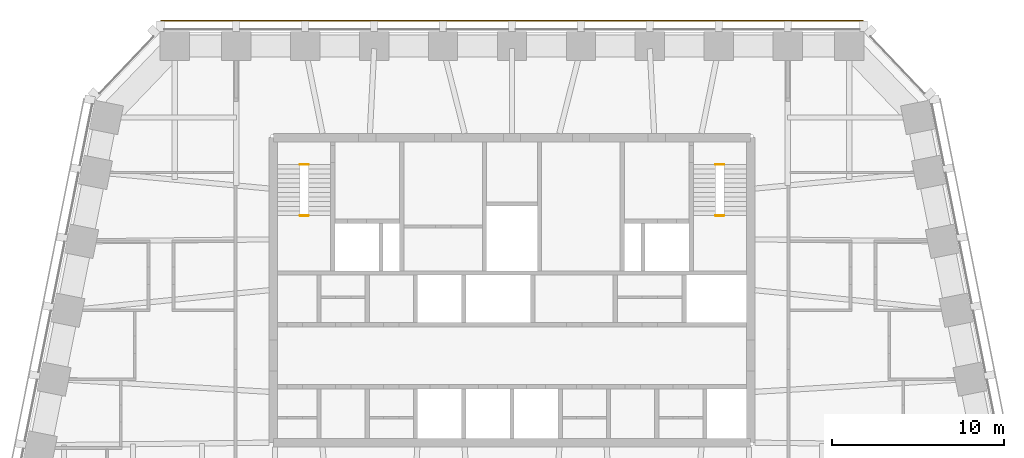
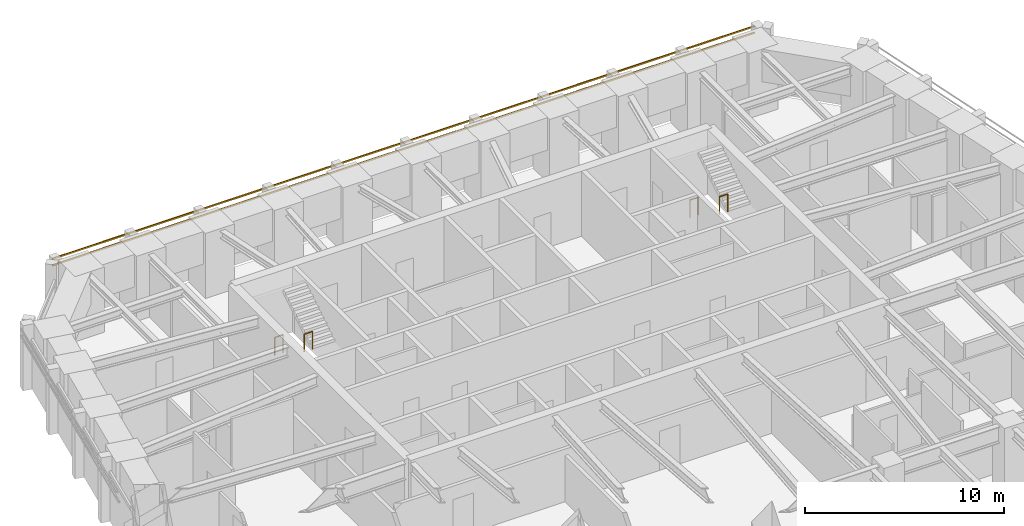
# One storey, part 11 of 11: 4 railings, 2 shading devices.
"""IFC4 building model written with IfcOpenShell, lengths in metres."""

import ifcopenshell
import ifcopenshell.guid

model = None  # the IFC model being written
_history = None  # IfcOwnerHistory: only IFC2X3 demands one
_inside = {}  # id of a spatial element -> (the spatial element, [elements in it])
_under = {}  # id of a project, library or spatial element -> (it, [spatial elements below it])
_declared = {}  # id of a project -> (the project, [libraries it declares])
_typed = {}  # id of a type object -> (the type object, [elements of that type])
_made_of = {}  # id of a material, layer set ... -> (it, [elements and type objects made of it])


def new_model(schema):
    """Start an empty IFC model of exactly this schema.

    Asked for "IFC4X3", IfcOpenShell would pick the latest addendum, in which some entities
    have other attributes; the version numbers below select the first issue.
    IFC2X3 requires an IfcOwnerHistory on every rooted entity: one is made here for all.
    """
    global model, _history
    if schema == "IFC4X3":
        model = ifcopenshell.file(schema_version=(4, 3, 0, 0))
    else:
        model = ifcopenshell.file(schema=schema)
    _inside.clear()
    _under.clear()
    _declared.clear()
    _typed.clear()
    _made_of.clear()
    _history = None
    if model.schema == "IFC2X3":
        org = make("IfcOrganization", Name="unknown")
        user = make(
            "IfcPersonAndOrganization",
            ThePerson=make("IfcPerson", FamilyName="unknown"),
            TheOrganization=org,
        )
        app = make(
            "IfcApplication",
            ApplicationDeveloper=org,
            Version="unknown",
            ApplicationFullName="unknown",
            ApplicationIdentifier="unknown",
        )
        _history = make(
            "IfcOwnerHistory",
            OwningUser=user,
            OwningApplication=app,
            ChangeAction="ADDED",
            CreationDate=0,
        )
    return model


def make(cls, **values):
    """One entity of the class cls with the attributes given. An attribute that is None is left unset."""
    return model.create_entity(
        cls, **{name: value for name, value in values.items() if value is not None}
    )


def rooted(cls, **values):
    """An entity with a GlobalId (a new one), such as an element, a storey or a relation."""
    return make(cls, GlobalId=ifcopenshell.guid.new(), OwnerHistory=_history, **values)


def si_unit(unit_type, name, prefix=None):
    """IfcSIUnit, for example si_unit("LENGTHUNIT", "METRE", prefix="MILLI")."""
    return make("IfcSIUnit", UnitType=unit_type, Prefix=prefix, Name=name)


def assignment(units):
    """IfcUnitAssignment: the units of a project."""
    return None if units is None else make("IfcUnitAssignment", Units=units)


def point(xyz):
    """IfcCartesianPoint."""
    return None if xyz is None else make("IfcCartesianPoint", Coordinates=xyz)


def direction(xyz):
    """IfcDirection."""
    return None if xyz is None else make("IfcDirection", DirectionRatios=xyz)


def frame(location, z_axis=None, x_axis=None):
    """IfcAxis2Placement3D, a coordinate frame: its origin and axes. An axis left out is left unset."""
    return make(
        "IfcAxis2Placement3D",
        Location=point(location),
        Axis=direction(z_axis),
        RefDirection=direction(x_axis),
    )


def frame_2d(location, x_axis=None):
    """IfcAxis2Placement2D, a coordinate frame in the plane: its origin and x axis."""
    return make(
        "IfcAxis2Placement2D", Location=point(location), RefDirection=direction(x_axis)
    )


def origin():
    """The frame at (0, 0, 0) with its axes left unset."""
    return frame((0.0, 0.0, 0.0))


def origin_2d():
    """The frame at (0, 0) in the plane with its x axis left unset."""
    return frame_2d((0.0, 0.0))


def place(relative_to, where):
    """IfcLocalPlacement: puts the frame where relative to a parent placement (None: the world)."""
    return make(
        "IfcLocalPlacement", PlacementRelTo=relative_to, RelativePlacement=where
    )


def context(
    kind, dimensions, precision=None, world=None, true_north=None, identifier=None
):
    """IfcGeometricRepresentationContext, for example the 3D "Model" context."""
    return make(
        "IfcGeometricRepresentationContext",
        ContextIdentifier=identifier,
        ContextType=kind,
        CoordinateSpaceDimension=dimensions,
        Precision=precision,
        WorldCoordinateSystem=world,
        TrueNorth=true_north,
    )


def subcontext(parent, identifier, kind, view, scale=None):
    """IfcGeometricRepresentationSubContext, for example "Body" below "Model"."""
    return make(
        "IfcGeometricRepresentationSubContext",
        ContextIdentifier=identifier,
        ContextType=kind,
        ParentContext=parent,
        TargetScale=scale,
        TargetView=view,
    )


def project(units=None, contexts=None):
    """IfcProject with its units and contexts."""
    return rooted(
        "IfcProject",
        Name="project",
        RepresentationContexts=contexts,
        UnitsInContext=assignment(units),
    )


def spatial(cls, under=None, at=None, **own):
    """A site, building, storey or space (cls), placed at a placement, below another one or the project."""
    s = rooted(cls, ObjectPlacement=at, **own)
    if under is not None:
        _under.setdefault(under.id(), (under, []))[1].append(s)
    return s


def profile(cls, at=None, kind="AREA", **sizes):
    """A parametric profile (cls). Its sizes go by their IFC names, for example OverallWidth=200.0."""
    return make(cls, ProfileType=kind, Position=at, **sizes)


def rectangle(**sizes):
    """IfcRectangleProfileDef."""
    return profile("IfcRectangleProfileDef", **sizes)


def circle(**sizes):
    """IfcCircleProfileDef."""
    return profile("IfcCircleProfileDef", **sizes)


def extrude(swept, where, along, depth):
    """IfcExtrudedAreaSolid: the profile swept, set in the frame where, extruded along a direction by depth."""
    return make(
        "IfcExtrudedAreaSolid",
        SweptArea=swept,
        Position=where,
        ExtrudedDirection=direction(along),
        Depth=depth,
    )


def shape(context_of_items, identifier, shape_type, items):
    """IfcShapeRepresentation: the items that make up one representation, for example the "Body"."""
    return make(
        "IfcShapeRepresentation",
        ContextOfItems=context_of_items,
        RepresentationIdentifier=identifier,
        RepresentationType=shape_type,
        Items=items,
    )


def material(Name=None, Category=None):
    """IfcMaterial."""
    return make("IfcMaterial", Name=Name, Category=Category)


def material_profile(
    of_material, cross_section, Name=None, Category=None, Priority=None
):
    """IfcMaterialProfile: a cross section and its material."""
    return make(
        "IfcMaterialProfile",
        Name=Name,
        Material=of_material,
        Profile=cross_section,
        Priority=Priority,
        Category=Category,
    )


def profile_set(profiles, Name=None, composite=None):
    """IfcMaterialProfileSet."""
    return make(
        "IfcMaterialProfileSet",
        Name=Name,
        MaterialProfiles=profiles,
        CompositeProfile=composite,
    )


def made_of(thing, what):
    """Note that an element or type object is made of a material, layer set ...; save() writes the relation."""
    if what is not None:
        _made_of.setdefault(what.id(), (what, []))[1].append(thing)
    return thing


def type_object(cls, material=None, **own):
    """A type object (cls), such as IfcWallType, which elements share."""
    return made_of(rooted(cls, **own), material)


def element(
    cls,
    number,
    at=None,
    inside=None,
    cuts=None,
    type_object=None,
    material=None,
    context=None,
    identifier="Body",
    shape_type=None,
    held_by="IfcProductDefinitionShape",
    body=None,
    shapes=None,
    **own,
):
    """One element of the class cls, such as IfcWall. Its Tag is "e" and its number.

    at: its placement. inside: the storey or other place that contains it. cuts: it is an
    opening in that element (IfcRelVoidsElement). A single representation is given by context,
    identifier, shape_type and body (its items); several are given by shapes. held_by: the class
    of the entity that holds the representations. save() writes the other relations.
    """
    e = rooted(cls, Tag="e%d" % number, ObjectPlacement=at, **own)
    if body is not None:
        shapes = [shape(context, identifier, shape_type, body)]
    if shapes is not None:
        e.Representation = make(held_by, Representations=shapes)
    if inside is not None:
        _inside.setdefault(inside.id(), (inside, []))[1].append(e)
    if cuts is not None:
        rooted(
            "IfcRelVoidsElement", RelatingBuildingElement=cuts, RelatedOpeningElement=e
        )
    if type_object is not None:
        _typed.setdefault(type_object.id(), (type_object, []))[1].append(e)
    return made_of(e, material)


def aggregate(whole, parts):
    """IfcRelAggregates: a whole, such as a stair, and the parts it consists of."""
    return rooted("IfcRelAggregates", RelatingObject=whole, RelatedObjects=parts)


def save(model, path):
    """Write the relations noted so far, then the file.

    IfcRelAggregates (storeys below a building ...), IfcRelContainedInSpatialStructure (elements
    in a storey), IfcRelDefinesByType, IfcRelAssociatesMaterial and IfcRelDeclares: one each for
    every whole, place, type object, material and project.
    """
    for whole, parts in _under.values():
        aggregate(whole, parts)
    for where, things in _inside.values():
        rooted(
            "IfcRelContainedInSpatialStructure",
            RelatedElements=things,
            RelatingStructure=where,
        )
    for kind, things in _typed.values():
        rooted("IfcRelDefinesByType", RelatedObjects=things, RelatingType=kind)
    for what, things in _made_of.values():
        rooted("IfcRelAssociatesMaterial", RelatedObjects=things, RelatingMaterial=what)
    for by, libraries in _declared.values():
        rooted("IfcRelDeclares", RelatingContext=by, RelatedDefinitions=libraries)
    model.write(path)


model = new_model("IFC4")

# Units and contexts
model_context = context("Model", 3, precision=1e-05, world=origin(), true_north=direction((0.0, 1.0)))
body_context = subcontext(model_context, "Body", "Model", "MODEL_VIEW")
ifc_project = project(units=[si_unit("LENGTHUNIT", "METRE"), si_unit("AREAUNIT", "SQUARE_METRE"), si_unit("VOLUMEUNIT", "CUBIC_METRE"), si_unit("PLANEANGLEUNIT", "RADIAN"), si_unit("MASSUNIT", "GRAM", prefix="KILO")], contexts=[model_context])

# Site, building, storey
site_placement = place(None, origin())
site = spatial("IfcSite", under=ifc_project, at=site_placement, CompositionType="ELEMENT")
building_placement = place(site_placement, origin())
building = spatial("IfcBuilding", under=site, at=building_placement, Name="Isbrekke Arena Tower", CompositionType="ELEMENT")
storey_placement = place(building_placement, frame((0.0, 0.0, 252.0)))
storey = spatial("IfcBuildingStorey", under=building, at=storey_placement, Name="L58", CompositionType="ELEMENT", Elevation=252.0)

# Shading devices
ifc_material_1 = material(Name="Terracotta", Category="masonry")
ifc_material_profile = material_profile(ifc_material_1, rectangle(XDim=0.06005859375, YDim=0.06005859375, at=origin_2d()), Name="BAGUETTE 60X60")
ifc_profile_set = profile_set([ifc_material_profile], Name="Terracotta")
shading_device_type = type_object("IfcShadingDeviceType", Name="BG1 TERRACOTTA BAGUETTE 60 x 60", PredefinedType="USERDEFINED", material=ifc_profile_set)
for number, where, z_axis, x_axis, name in (
    (1, (20.39990234375, 30.655029296875, 3.280029296875), (-1.0, 0.0, 0.0), (0.0, -1.0, 0.0), "BG1 terracotta baguette N1 L58"),
    (2, (20.39990234375, 30.655029296875, 3.679931640625), (-1.0, 0.0, 0.0), (0.0, -1.0, 0.0), "BG1 terracotta baguette N2 L58"),
):
    element("IfcShadingDevice", number, at=place(storey_placement, frame(where, z_axis=z_axis, x_axis=x_axis)), inside=storey, type_object=shading_device_type, Name=name, ObjectType="TERRACOTTA BAGUETTE", PredefinedType="USERDEFINED", context=body_context, shape_type="SweptSolid", body=[
        extrude(rectangle(XDim=0.06005859375, YDim=0.06005859375, at=origin_2d()), origin(), (0.0, 0.0, 1.0), 40.7998046875),
    ])

# Railings
ifc_material_2 = material(Name="Steel stair guard, vertical bars, steel handrail", Category="steel")
railing_type = type_object("IfcRailingType", Name="GR3 STAIR WELL GUARD 1100", PredefinedType="GUARDRAIL", material=ifc_material_2)
for number, where, name in (
    (3, (-12.300048828125, 22.300048828125, 0.0), "GR3 stair well guard ST1 L58"),
    (4, (-12.300048828125, 19.330078125, 2.0), "GR3 stair well guard ST1 L58"),
    (5, (11.824951171875, 22.300048828125, 0.0), "GR3 stair well guard ST2 L58"),
    (6, (11.824951171875, 19.330078125, 2.0), "GR3 stair well guard ST2 L58"),
):
    element("IfcRailing", number, at=place(storey_placement, frame(where)), inside=storey, type_object=railing_type, Name=name, PredefinedType="GUARDRAIL", context=body_context, shape_type="SweptSolid", body=[
        extrude(circle(Radius=0.02392578125, at=origin_2d()), frame((0.0, 0.0, 1.076171875), z_axis=(1.0, 0.0, 0.0), x_axis=(0.0, 1.0, 0.0)), (0.0, 0.0, 1.0), 0.47509765625),
        extrude(circle(Radius=0.02099609375, at=origin_2d()), origin(), (0.0, 0.0, 1.0), 1.052001953125),
        extrude(circle(Radius=0.02099609375, at=origin_2d()), frame((0.47509765625, 0.0, 0.0)), (0.0, 0.0, 1.0), 1.052001953125),
    ])

save(model, "model.ifc")
